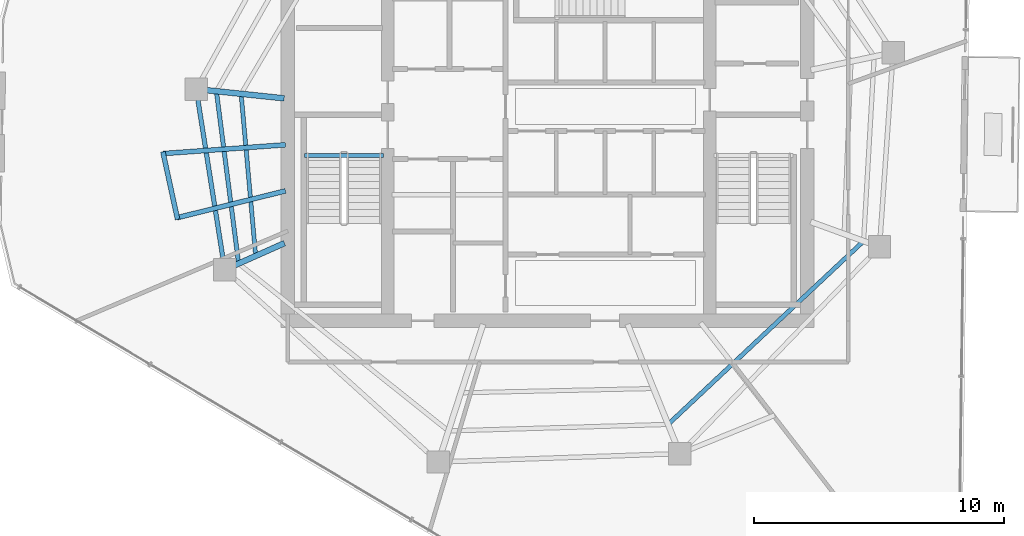
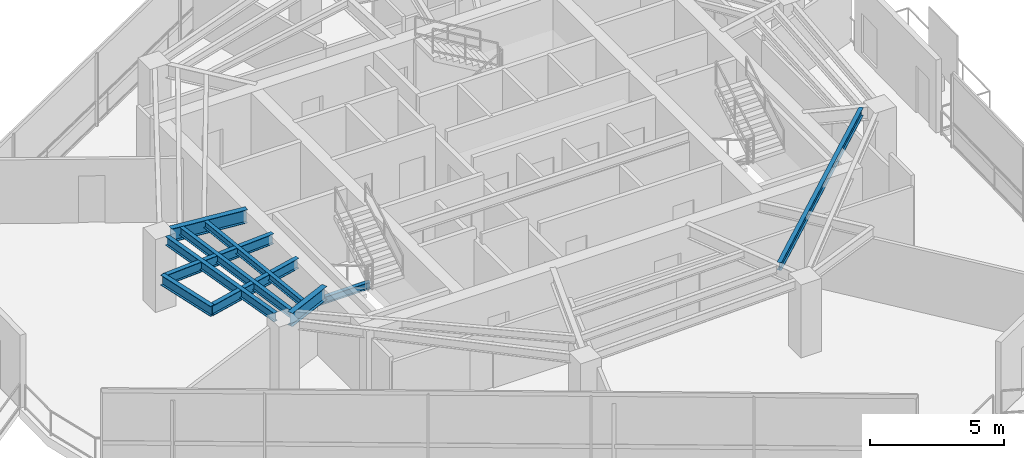
# One storey, part 4 of 18: 10 beams.
"""IFC4 building model written with IfcOpenShell, lengths in metres."""

from ifc_helpers import new_model, si_unit, direction, frame, origin, origin_2d, place, context, subcontext, project, spatial, i_section, extrude, material, material_profile, profile_set, type_object, element, save


model = new_model("IFC4")

# Units and contexts
model_context = context("Model", 3, precision=1e-05, world=origin(), true_north=direction((0.0, 1.0)))
body_context = subcontext(model_context, "Body", "Model", "MODEL_VIEW")
ifc_project = project(units=[si_unit("LENGTHUNIT", "METRE"), si_unit("AREAUNIT", "SQUARE_METRE"), si_unit("VOLUMEUNIT", "CUBIC_METRE"), si_unit("PLANEANGLEUNIT", "RADIAN"), si_unit("MASSUNIT", "GRAM", prefix="KILO")], contexts=[model_context])

# Site, building, storey
site_placement = place(None, origin())
site = spatial("IfcSite", under=ifc_project, at=site_placement, CompositionType="ELEMENT")
building_placement = place(site_placement, origin())
building = spatial("IfcBuilding", under=site, at=building_placement, Name="Qarnah Convention Tower", CompositionType="ELEMENT")
storey_placement = place(building_placement, frame((0.0, 0.0, 177.0)))
storey = spatial("IfcBuildingStorey", under=building, at=storey_placement, Name="L47", CompositionType="ELEMENT", Elevation=177.0)

# Beams
ifc_material = material(Name="Structural steel S355JR", Category="steel")
ifc_material_profile_1 = material_profile(ifc_material, i_section(OverallWidth=0.19189453125, OverallDepth=0.464111328125, WebThickness=0.010986328125, FlangeThickness=0.01806640625, at=origin_2d()), Name="W460X89")
ifc_profile_set_1 = profile_set([ifc_material_profile_1], Name="Structural steel S355JR")
beam_type_1 = type_object("IfcBeamType", Name="BM-CANT-W460A", PredefinedType="BEAM", material=ifc_profile_set_1)
beam_1_placement = place(storey_placement, frame((26.699951171875, 25.64794921875, 3.087890625), z_axis=(-0.997436151804, -0.071562022574, 0.0), x_axis=(0.071562022574, -0.997436151804, 0.0)))
element("IfcBeam", 1, at=beam_1_placement, inside=storey, type_object=beam_type_1, Name="L47 beam BM-L47-CNT-02-1", PredefinedType="BEAM", context=body_context, shape_type="SweptSolid", body=[
    extrude(i_section(OverallWidth=0.19189453125, OverallDepth=0.464111328125, WebThickness=0.010986328125, FlangeThickness=0.01806640625, at=origin_2d()), origin(), (0.0, 0.0, 1.0), 4.90234375),
])
beam_2_placement = place(storey_placement, frame((26.702880859375, 23.802001953125, 3.087890625), z_axis=(-0.970718465503, -0.240220025669, 0.0), x_axis=(0.240220025669, -0.970718465503, 0.0)))
element("IfcBeam", 2, at=beam_2_placement, inside=storey, type_object=beam_type_1, Name="L47 beam BM-L47-CNT-02-2", PredefinedType="BEAM", context=body_context, shape_type="SweptSolid", body=[
    extrude(i_section(OverallWidth=0.19189453125, OverallDepth=0.464111328125, WebThickness=0.010986328125, FlangeThickness=0.01806640625, at=origin_2d()), origin(), (0.0, 0.0, 1.0), 4.466796875),
])
beam_3_placement = place(storey_placement, frame((21.794921875, 25.364990234375, 3.087890625), z_axis=(0.212191546233, -0.977228094002, 0.0), x_axis=(0.977228094002, 0.212191546233, 0.0)))
element("IfcBeam", 3, at=beam_3_placement, inside=storey, type_object=beam_type_1, Name="L47 spandrel BM-L47-CTIE-02", PredefinedType="SPANDREL", context=body_context, shape_type="SweptSolid", body=[
    extrude(i_section(OverallWidth=0.19189453125, OverallDepth=0.464111328125, WebThickness=0.010986328125, FlangeThickness=0.01806640625, at=origin_2d()), origin(), (0.0, 0.0, 1.0), 2.76708984375),
])
ifc_material_profile_2 = material_profile(ifc_material, i_section(OverallWidth=0.166015625, OverallDepth=0.31201171875, WebThickness=0.007080078125, FlangeThickness=0.010986328125, at=origin_2d()), Name="W310X45")
ifc_profile_set_2 = profile_set([ifc_material_profile_2], Name="Structural steel S355JR")
beam_type_2 = type_object("IfcBeamType", Name="BM-JST-W310", PredefinedType="JOIST", material=ifc_profile_set_2)
beam_4_placement = place(storey_placement, frame((27.4599609375, 25.217041015625, -0.156005859375), z_axis=(1.0, 0.0, 0.0), x_axis=(0.0, 1.0, 0.0)))
element("IfcBeam", 4, at=beam_4_placement, inside=storey, type_object=beam_type_2, Name="L47 stair landing trimmer beam BM-L47-ST1-TRM", PredefinedType="BEAM", context=body_context, shape_type="SweptSolid", body=[
    extrude(i_section(OverallWidth=0.166015625, OverallDepth=0.31201171875, WebThickness=0.007080078125, FlangeThickness=0.010986328125, at=origin_2d()), origin(), (0.0, 0.0, 1.0), 3.179931640625),
])
beam_5_placement = place(storey_placement, frame((24.93505859375, 27.60009765625, 3.1640625), z_axis=(0.089573904604, -0.995980178324, 0.0), x_axis=(0.995980178324, 0.089573904604, 0.0)))
element("IfcBeam", 5, at=beam_5_placement, inside=storey, type_object=beam_type_2, Name="L47 joist BM-L47-IJST-05", PredefinedType="JOIST", context=body_context, shape_type="SweptSolid", body=[
    extrude(i_section(OverallWidth=0.166015625, OverallDepth=0.31201171875, WebThickness=0.007080078125, FlangeThickness=0.010986328125, at=origin_2d()), origin(), (0.0, 0.0, 1.0), 6.339599609375),
])
ifc_material_profile_3 = material_profile(ifc_material, i_section(OverallWidth=0.172119140625, OverallDepth=0.35595703125, WebThickness=0.007080078125, FlangeThickness=0.011962890625, at=origin_2d()), Name="W360X51")
ifc_profile_set_3 = profile_set([ifc_material_profile_3], Name="Structural steel S355JR")
beam_type_3 = type_object("IfcBeamType", Name="BM-JST-W360", PredefinedType="JOIST", material=ifc_profile_set_3)
beam_6_placement = place(storey_placement, frame((23.947998046875, 27.705078125, 3.14208984375), z_axis=(0.128155286171, -0.991754113995, 0.0), x_axis=(0.991754113995, 0.128155286171, 0.0)))
element("IfcBeam", 6, at=beam_6_placement, inside=storey, type_object=beam_type_3, Name="L47 joist BM-L47-SJST-05", PredefinedType="JOIST", context=body_context, shape_type="SweptSolid", body=[
    extrude(i_section(OverallWidth=0.172119140625, OverallDepth=0.35595703125, WebThickness=0.007080078125, FlangeThickness=0.011962890625, at=origin_2d()), origin(), (0.0, 0.0, 1.0), 6.780029296875),
])
beam_7_placement = place(storey_placement, frame((42.093994140625, 14.511962890625, 3.14208984375), z_axis=(0.729569665488, 0.683906501796, 0.0), x_axis=(-0.683906501796, 0.729569665488, 0.0)))
element("IfcBeam", 7, at=beam_7_placement, inside=storey, type_object=beam_type_3, Name="L47 joist BM-L47-SJST-08", PredefinedType="JOIST", context=body_context, shape_type="SweptSolid", body=[
    extrude(i_section(OverallWidth=0.172119140625, OverallDepth=0.35595703125, WebThickness=0.007080078125, FlangeThickness=0.011962890625, at=origin_2d()), origin(), (0.0, 0.0, 1.0), 10.55419921875),
])
ifc_material_profile_4 = material_profile(ifc_material, i_section(OverallWidth=0.22802734375, OverallDepth=0.60791015625, WebThickness=0.010986328125, FlangeThickness=0.01708984375, at=origin_2d()), Name="W610X113")
ifc_profile_set_4 = profile_set([ifc_material_profile_4], Name="Structural steel S355JR")
beam_type_4 = type_object("IfcBeamType", Name="BM-RAD-W610B", PredefinedType="BEAM", material=ifc_profile_set_4)
beam_8_placement = place(storey_placement, frame((26.65087890625, 27.509033203125, 3.01611328125), z_axis=(-0.99453335923, 0.104419334317, 0.0), x_axis=(-0.104419334317, -0.99453335923, 0.0)))
element("IfcBeam", 8, at=beam_8_placement, inside=storey, type_object=beam_type_4, Name="L47 beam BM-L47-RAD-05", PredefinedType="BEAM", context=body_context, shape_type="SweptSolid", body=[
    extrude(i_section(OverallWidth=0.22802734375, OverallDepth=0.60791015625, WebThickness=0.010986328125, FlangeThickness=0.01708984375, at=origin_2d()), origin(), (0.0, 0.0, 1.0), 3.112060546875),
])
beam_9_placement = place(storey_placement, frame((26.6630859375, 21.708984375, 3.01611328125), z_axis=(-0.913585734164, -0.406646168471, 0.0), x_axis=(0.406646168471, -0.913585734164, 0.0)))
element("IfcBeam", 9, at=beam_9_placement, inside=storey, type_object=beam_type_4, Name="L47 beam BM-L47-RAD-06", PredefinedType="BEAM", context=body_context, shape_type="SweptSolid", body=[
    extrude(i_section(OverallWidth=0.22802734375, OverallDepth=0.60791015625, WebThickness=0.010986328125, FlangeThickness=0.01708984375, at=origin_2d()), origin(), (0.0, 0.0, 1.0), 2.18603515625),
])
ifc_material_profile_5 = material_profile(ifc_material, i_section(OverallWidth=0.179931640625, OverallDepth=0.39990234375, WebThickness=0.009033203125, FlangeThickness=0.013916015625, at=origin_2d()), Name="IPE400")
ifc_profile_set_5 = profile_set([ifc_material_profile_5], Name="Structural steel S355JR")
beam_type_5 = type_object("IfcBeamType", Name="BM-SPN-IPE400", PredefinedType="SPANDREL", material=ifc_profile_set_5)
beam_10_placement = place(storey_placement, frame((23.197021484375, 27.444091796875, 3.1201171875), z_axis=(0.156301127146, -0.987709450017, 0.0), x_axis=(0.987709450017, 0.156301127146, 0.0)))
element("IfcBeam", 10, at=beam_10_placement, inside=storey, type_object=beam_type_5, Name="L47 spandrel BM-L47-SPN-05", PredefinedType="SPANDREL", context=body_context, shape_type="SweptSolid", body=[
    extrude(i_section(OverallWidth=0.179931640625, OverallDepth=0.39990234375, WebThickness=0.009033203125, FlangeThickness=0.013916015625, at=origin_2d()), origin(), (0.0, 0.0, 1.0), 6.443115234375),
])

save(model, "model.ifc")
